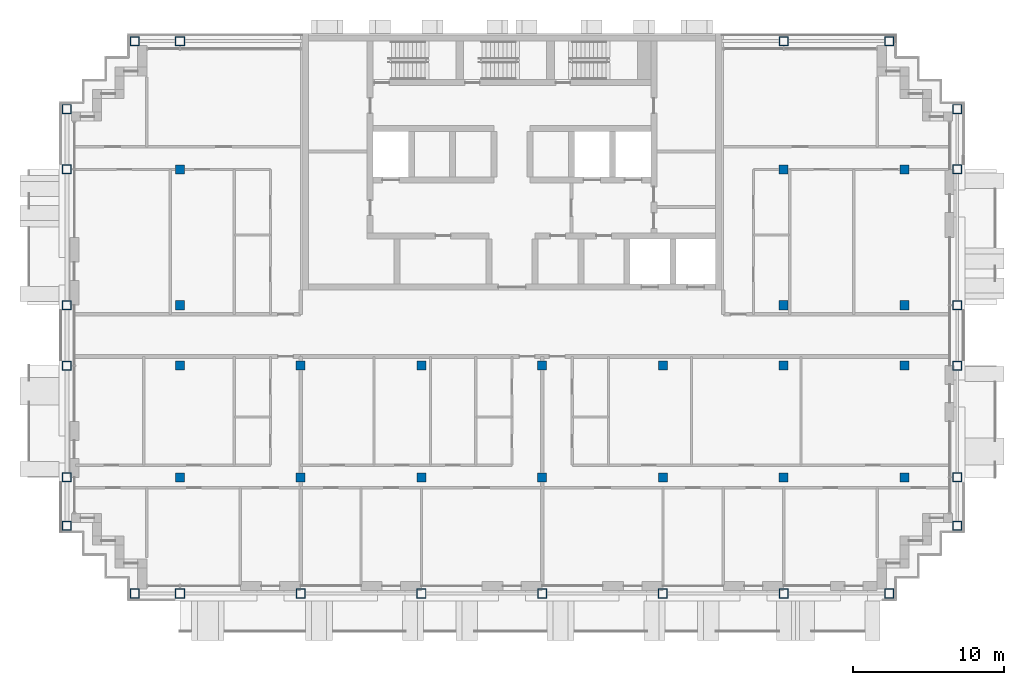
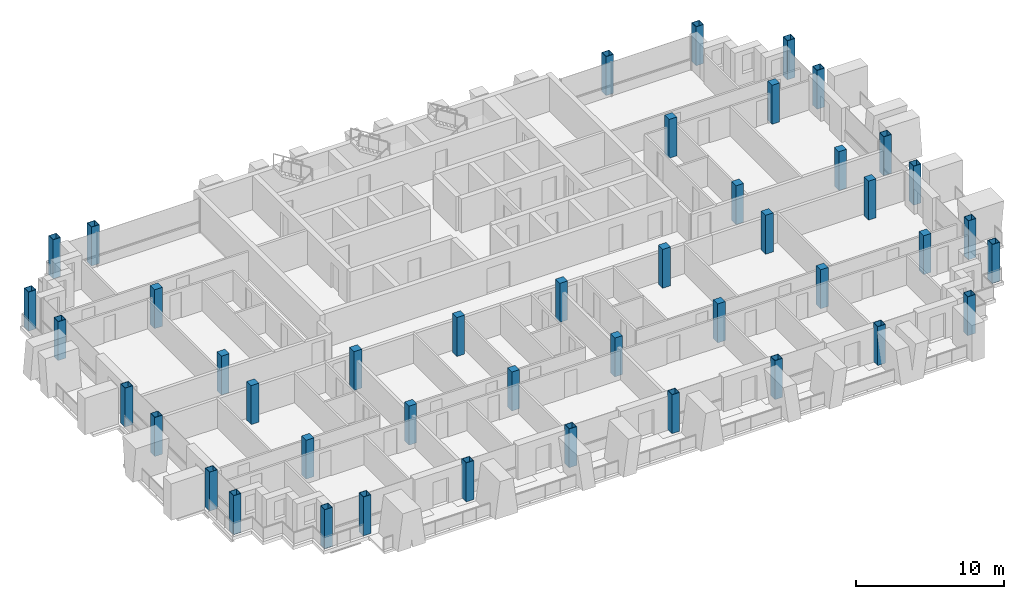
# One storey, part 1 of 15: 44 columns.
"""IFC4 building model written with IfcOpenShell, lengths in metres."""

import ifcopenshell
import ifcopenshell.guid

model = None  # the IFC model being written
_history = None  # IfcOwnerHistory: only IFC2X3 demands one
_inside = {}  # id of a spatial element -> (the spatial element, [elements in it])
_under = {}  # id of a project, library or spatial element -> (it, [spatial elements below it])
_declared = {}  # id of a project -> (the project, [libraries it declares])
_typed = {}  # id of a type object -> (the type object, [elements of that type])
_made_of = {}  # id of a material, layer set ... -> (it, [elements and type objects made of it])


def new_model(schema):
    """Start an empty IFC model of exactly this schema.

    Asked for "IFC4X3", IfcOpenShell would pick the latest addendum, in which some entities
    have other attributes; the version numbers below select the first issue.
    IFC2X3 requires an IfcOwnerHistory on every rooted entity: one is made here for all.
    """
    global model, _history
    if schema == "IFC4X3":
        model = ifcopenshell.file(schema_version=(4, 3, 0, 0))
    else:
        model = ifcopenshell.file(schema=schema)
    _inside.clear()
    _under.clear()
    _declared.clear()
    _typed.clear()
    _made_of.clear()
    _history = None
    if model.schema == "IFC2X3":
        org = make("IfcOrganization", Name="unknown")
        user = make(
            "IfcPersonAndOrganization",
            ThePerson=make("IfcPerson", FamilyName="unknown"),
            TheOrganization=org,
        )
        app = make(
            "IfcApplication",
            ApplicationDeveloper=org,
            Version="unknown",
            ApplicationFullName="unknown",
            ApplicationIdentifier="unknown",
        )
        _history = make(
            "IfcOwnerHistory",
            OwningUser=user,
            OwningApplication=app,
            ChangeAction="ADDED",
            CreationDate=0,
        )
    return model


def make(cls, **values):
    """One entity of the class cls with the attributes given. An attribute that is None is left unset."""
    return model.create_entity(
        cls, **{name: value for name, value in values.items() if value is not None}
    )


def rooted(cls, **values):
    """An entity with a GlobalId (a new one), such as an element, a storey or a relation."""
    return make(cls, GlobalId=ifcopenshell.guid.new(), OwnerHistory=_history, **values)


def si_unit(unit_type, name, prefix=None):
    """IfcSIUnit, for example si_unit("LENGTHUNIT", "METRE", prefix="MILLI")."""
    return make("IfcSIUnit", UnitType=unit_type, Prefix=prefix, Name=name)


def assignment(units):
    """IfcUnitAssignment: the units of a project."""
    return None if units is None else make("IfcUnitAssignment", Units=units)


def point(xyz):
    """IfcCartesianPoint."""
    return None if xyz is None else make("IfcCartesianPoint", Coordinates=xyz)


def direction(xyz):
    """IfcDirection."""
    return None if xyz is None else make("IfcDirection", DirectionRatios=xyz)


def frame(location, z_axis=None, x_axis=None):
    """IfcAxis2Placement3D, a coordinate frame: its origin and axes. An axis left out is left unset."""
    return make(
        "IfcAxis2Placement3D",
        Location=point(location),
        Axis=direction(z_axis),
        RefDirection=direction(x_axis),
    )


def frame_2d(location, x_axis=None):
    """IfcAxis2Placement2D, a coordinate frame in the plane: its origin and x axis."""
    return make(
        "IfcAxis2Placement2D", Location=point(location), RefDirection=direction(x_axis)
    )


def origin():
    """The frame at (0, 0, 0) with its axes left unset."""
    return frame((0.0, 0.0, 0.0))


def origin_2d():
    """The frame at (0, 0) in the plane with its x axis left unset."""
    return frame_2d((0.0, 0.0))


def place(relative_to, where):
    """IfcLocalPlacement: puts the frame where relative to a parent placement (None: the world)."""
    return make(
        "IfcLocalPlacement", PlacementRelTo=relative_to, RelativePlacement=where
    )


def context(
    kind, dimensions, precision=None, world=None, true_north=None, identifier=None
):
    """IfcGeometricRepresentationContext, for example the 3D "Model" context."""
    return make(
        "IfcGeometricRepresentationContext",
        ContextIdentifier=identifier,
        ContextType=kind,
        CoordinateSpaceDimension=dimensions,
        Precision=precision,
        WorldCoordinateSystem=world,
        TrueNorth=true_north,
    )


def subcontext(parent, identifier, kind, view, scale=None):
    """IfcGeometricRepresentationSubContext, for example "Body" below "Model"."""
    return make(
        "IfcGeometricRepresentationSubContext",
        ContextIdentifier=identifier,
        ContextType=kind,
        ParentContext=parent,
        TargetScale=scale,
        TargetView=view,
    )


def project(units=None, contexts=None):
    """IfcProject with its units and contexts."""
    return rooted(
        "IfcProject",
        Name="project",
        RepresentationContexts=contexts,
        UnitsInContext=assignment(units),
    )


def spatial(cls, under=None, at=None, **own):
    """A site, building, storey or space (cls), placed at a placement, below another one or the project."""
    s = rooted(cls, ObjectPlacement=at, **own)
    if under is not None:
        _under.setdefault(under.id(), (under, []))[1].append(s)
    return s


def profile(cls, at=None, kind="AREA", **sizes):
    """A parametric profile (cls). Its sizes go by their IFC names, for example OverallWidth=200.0."""
    return make(cls, ProfileType=kind, Position=at, **sizes)


def rectangle(**sizes):
    """IfcRectangleProfileDef."""
    return profile("IfcRectangleProfileDef", **sizes)


def hollow_rectangle(**sizes):
    """IfcRectangleHollowProfileDef."""
    return profile("IfcRectangleHollowProfileDef", **sizes)


def extrude(swept, where, along, depth):
    """IfcExtrudedAreaSolid: the profile swept, set in the frame where, extruded along a direction by depth."""
    return make(
        "IfcExtrudedAreaSolid",
        SweptArea=swept,
        Position=where,
        ExtrudedDirection=direction(along),
        Depth=depth,
    )


def shape(context_of_items, identifier, shape_type, items):
    """IfcShapeRepresentation: the items that make up one representation, for example the "Body"."""
    return make(
        "IfcShapeRepresentation",
        ContextOfItems=context_of_items,
        RepresentationIdentifier=identifier,
        RepresentationType=shape_type,
        Items=items,
    )


def material(Name=None, Category=None):
    """IfcMaterial."""
    return make("IfcMaterial", Name=Name, Category=Category)


def material_profile(
    of_material, cross_section, Name=None, Category=None, Priority=None
):
    """IfcMaterialProfile: a cross section and its material."""
    return make(
        "IfcMaterialProfile",
        Name=Name,
        Material=of_material,
        Profile=cross_section,
        Priority=Priority,
        Category=Category,
    )


def profile_set(profiles, Name=None, composite=None):
    """IfcMaterialProfileSet."""
    return make(
        "IfcMaterialProfileSet",
        Name=Name,
        MaterialProfiles=profiles,
        CompositeProfile=composite,
    )


def made_of(thing, what):
    """Note that an element or type object is made of a material, layer set ...; save() writes the relation."""
    if what is not None:
        _made_of.setdefault(what.id(), (what, []))[1].append(thing)
    return thing


def type_object(cls, material=None, **own):
    """A type object (cls), such as IfcWallType, which elements share."""
    return made_of(rooted(cls, **own), material)


def element(
    cls,
    number,
    at=None,
    inside=None,
    cuts=None,
    type_object=None,
    material=None,
    context=None,
    identifier="Body",
    shape_type=None,
    held_by="IfcProductDefinitionShape",
    body=None,
    shapes=None,
    **own,
):
    """One element of the class cls, such as IfcWall. Its Tag is "e" and its number.

    at: its placement. inside: the storey or other place that contains it. cuts: it is an
    opening in that element (IfcRelVoidsElement). A single representation is given by context,
    identifier, shape_type and body (its items); several are given by shapes. held_by: the class
    of the entity that holds the representations. save() writes the other relations.
    """
    e = rooted(cls, Tag="e%d" % number, ObjectPlacement=at, **own)
    if body is not None:
        shapes = [shape(context, identifier, shape_type, body)]
    if shapes is not None:
        e.Representation = make(held_by, Representations=shapes)
    if inside is not None:
        _inside.setdefault(inside.id(), (inside, []))[1].append(e)
    if cuts is not None:
        rooted(
            "IfcRelVoidsElement", RelatingBuildingElement=cuts, RelatedOpeningElement=e
        )
    if type_object is not None:
        _typed.setdefault(type_object.id(), (type_object, []))[1].append(e)
    return made_of(e, material)


def aggregate(whole, parts):
    """IfcRelAggregates: a whole, such as a stair, and the parts it consists of."""
    return rooted("IfcRelAggregates", RelatingObject=whole, RelatedObjects=parts)


def save(model, path):
    """Write the relations noted so far, then the file.

    IfcRelAggregates (storeys below a building ...), IfcRelContainedInSpatialStructure (elements
    in a storey), IfcRelDefinesByType, IfcRelAssociatesMaterial and IfcRelDeclares: one each for
    every whole, place, type object, material and project.
    """
    for whole, parts in _under.values():
        aggregate(whole, parts)
    for where, things in _inside.values():
        rooted(
            "IfcRelContainedInSpatialStructure",
            RelatedElements=things,
            RelatingStructure=where,
        )
    for kind, things in _typed.values():
        rooted("IfcRelDefinesByType", RelatedObjects=things, RelatingType=kind)
    for what, things in _made_of.values():
        rooted("IfcRelAssociatesMaterial", RelatedObjects=things, RelatingMaterial=what)
    for by, libraries in _declared.values():
        rooted("IfcRelDeclares", RelatingContext=by, RelatedDefinitions=libraries)
    model.write(path)


model = new_model("IFC4")

# Units and contexts
model_context = context("Model", 3, precision=1e-05, world=origin(), true_north=direction((0.0, 1.0)))
body_context = subcontext(model_context, "Body", "Model", "MODEL_VIEW")
ifc_project = project(units=[si_unit("LENGTHUNIT", "METRE"), si_unit("AREAUNIT", "SQUARE_METRE"), si_unit("VOLUMEUNIT", "CUBIC_METRE"), si_unit("PLANEANGLEUNIT", "RADIAN"), si_unit("MASSUNIT", "GRAM", prefix="KILO")], contexts=[model_context])

# Site, building, storey
site_placement = place(None, origin())
site = spatial("IfcSite", under=ifc_project, at=site_placement, CompositionType="ELEMENT")
building_placement = place(site_placement, origin())
building = spatial("IfcBuilding", under=site, at=building_placement, Name="Vidyagriha Tower", CompositionType="ELEMENT")
storey_placement = place(building_placement, frame((0.0, 0.0, 236.39990234375)))
storey = spatial("IfcBuildingStorey", under=building, at=storey_placement, Name="L62", CompositionType="ELEMENT", Elevation=236.39990234375)

# Columns
ifc_material_1 = material(Name="Steel ASTM A572 Grade 50", Category="steel")
ifc_material_profile_1 = material_profile(ifc_material_1, hollow_rectangle(XDim=0.60009765625, YDim=0.60009765625, WallThickness=0.030029296875, at=origin_2d()), Name="BOX 600x600x30")
ifc_profile_set_1 = profile_set([ifc_material_profile_1], Name="Steel ASTM A572 Grade 50")
column_type_1 = type_object("IfcColumnType", Name="Exoskeleton column BOX 600x600x30", PredefinedType="COLUMN", material=ifc_profile_set_1)
for number, where, name in (
    (1, (-25.0, -17.10009765625, 0.0), "st-col-L62-B5-001"),
    (2, (-22.0, -17.10009765625, 0.0), "st-col-L62-B5-002"),
    (3, (-14.0, -17.10009765625, 0.0), "st-col-L62-B5-003"),
    (4, (-6.0, -17.10009765625, 0.0), "st-col-L62-B5-004"),
    (5, (2.0, -17.10009765625, 0.0), "st-col-L62-B5-005"),
    (6, (10.0, -17.10009765625, 0.0), "st-col-L62-B5-006"),
    (7, (18.0, -17.10009765625, 0.0), "st-col-L62-B5-007"),
    (8, (25.0, -17.10009765625, 0.0), "st-col-L62-B5-008"),
    (9, (-29.5, -12.60009765625, 0.0), "st-col-L62-B5-009"),
    (10, (29.5, -12.60009765625, 0.0), "st-col-L62-B5-010"),
    (11, (-29.5, -9.39990234375, 0.0), "st-col-L62-B5-011"),
    (12, (29.5, -9.39990234375, 0.0), "st-col-L62-B5-019"),
    (13, (-29.5, -2.0, 0.0), "st-col-L62-B5-020"),
    (14, (29.5, -2.0, 0.0), "st-col-L62-B5-028"),
    (15, (-29.5, 2.0, 0.0), "st-col-L62-B5-029"),
    (16, (29.5, 2.0, 0.0), "st-col-L62-B5-033"),
    (17, (-29.5, 11.0, 0.0), "st-col-L62-B5-034"),
    (18, (29.5, 11.0, 0.0), "st-col-L62-B5-038"),
    (19, (-29.5, 15.0, 0.0), "st-col-L62-B5-039"),
    (20, (29.5, 15.0, 0.0), "st-col-L62-B5-040"),
    (21, (-25.0, 19.5, 0.0), "st-col-L62-B5-041"),
    (22, (-22.0, 19.5, 0.0), "st-col-L62-B5-042"),
    (23, (18.0, 19.5, 0.0), "st-col-L62-B5-043"),
    (24, (25.0, 19.5, 0.0), "st-col-L62-B5-044"),
):
    element("IfcColumn", number, at=place(storey_placement, frame(where)), inside=storey, type_object=column_type_1, Name=name, PredefinedType="COLUMN", context=body_context, shape_type="SweptSolid", body=[
        extrude(hollow_rectangle(XDim=0.60009765625, YDim=0.60009765625, WallThickness=0.030029296875, at=origin_2d()), origin(), (0.0, 0.0, 1.0), 3.2001953125),
    ])
ifc_material_2 = material(Name="Concrete C60/75", Category="concrete")
ifc_material_profile_2 = material_profile(ifc_material_2, rectangle(XDim=0.60009765625, YDim=0.60009765625, at=origin_2d()), Name="RC 600x600")
ifc_profile_set_2 = profile_set([ifc_material_profile_2], Name="Concrete C60/75")
column_type_2 = type_object("IfcColumnType", Name="Frame column RC 600x600", PredefinedType="COLUMN", material=ifc_profile_set_2)
for number, where, name in (
    (25, (-22.0, -9.39990234375, 0.0), "st-col-L62-B5-012"),
    (26, (-14.0, -9.39990234375, 0.0), "st-col-L62-B5-013"),
    (27, (-6.0, -9.39990234375, 0.0), "st-col-L62-B5-014"),
    (28, (2.0, -9.39990234375, 0.0), "st-col-L62-B5-015"),
    (29, (10.0, -9.39990234375, 0.0), "st-col-L62-B5-016"),
    (30, (18.0, -9.39990234375, 0.0), "st-col-L62-B5-017"),
    (31, (26.0, -9.39990234375, 0.0), "st-col-L62-B5-018"),
    (32, (-22.0, -2.0, 0.0), "st-col-L62-B5-021"),
    (33, (-14.0, -2.0, 0.0), "st-col-L62-B5-022"),
    (34, (-6.0, -2.0, 0.0), "st-col-L62-B5-023"),
    (35, (2.0, -2.0, 0.0), "st-col-L62-B5-024"),
    (36, (10.0, -2.0, 0.0), "st-col-L62-B5-025"),
    (37, (18.0, -2.0, 0.0), "st-col-L62-B5-026"),
    (38, (26.0, -2.0, 0.0), "st-col-L62-B5-027"),
    (39, (-22.0, 2.0, 0.0), "st-col-L62-B5-030"),
    (40, (18.0, 2.0, 0.0), "st-col-L62-B5-031"),
    (41, (26.0, 2.0, 0.0), "st-col-L62-B5-032"),
    (42, (-22.0, 11.0, 0.0), "st-col-L62-B5-035"),
    (43, (18.0, 11.0, 0.0), "st-col-L62-B5-036"),
    (44, (26.0, 11.0, 0.0), "st-col-L62-B5-037"),
):
    element("IfcColumn", number, at=place(storey_placement, frame(where)), inside=storey, type_object=column_type_2, Name=name, PredefinedType="COLUMN", context=body_context, shape_type="SweptSolid", body=[
        extrude(rectangle(XDim=0.60009765625, YDim=0.60009765625, at=origin_2d()), origin(), (0.0, 0.0, 1.0), 3.2001953125),
    ])

save(model, "model.ifc")
